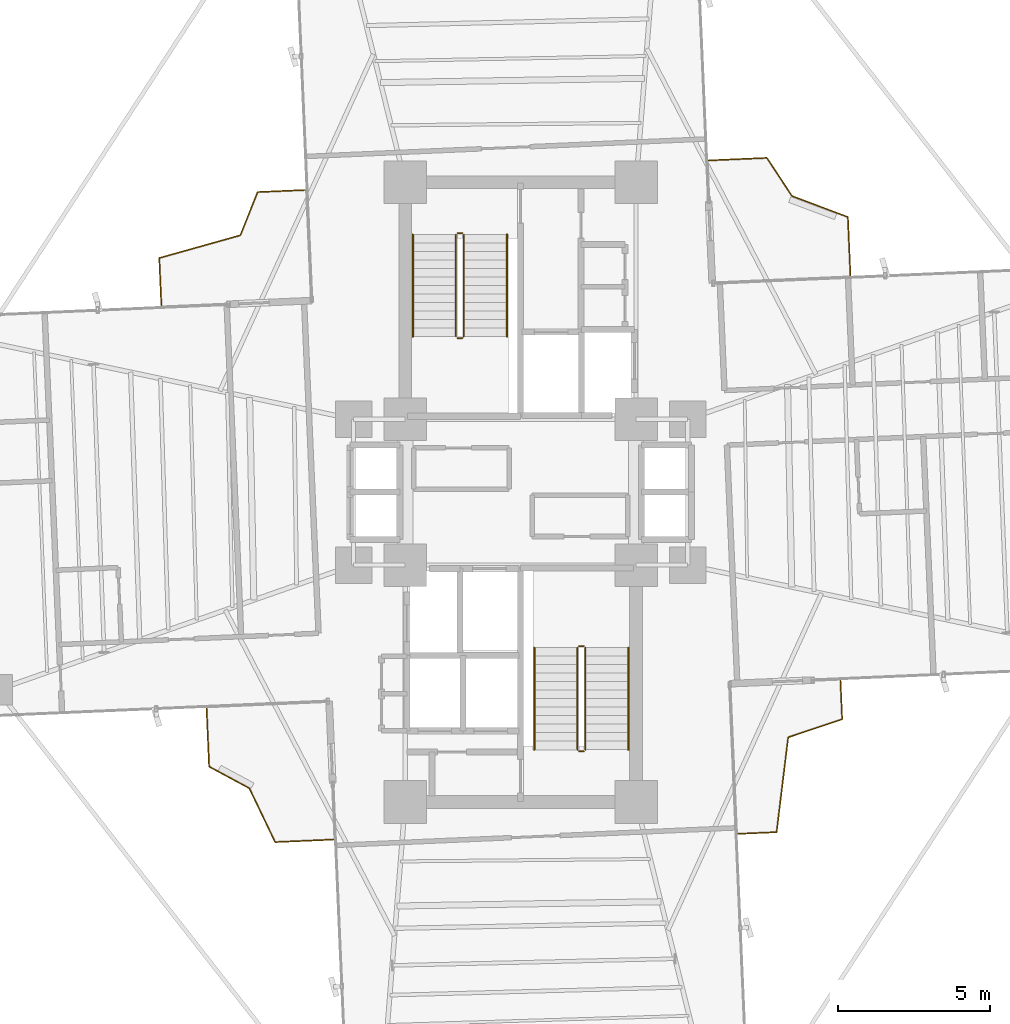
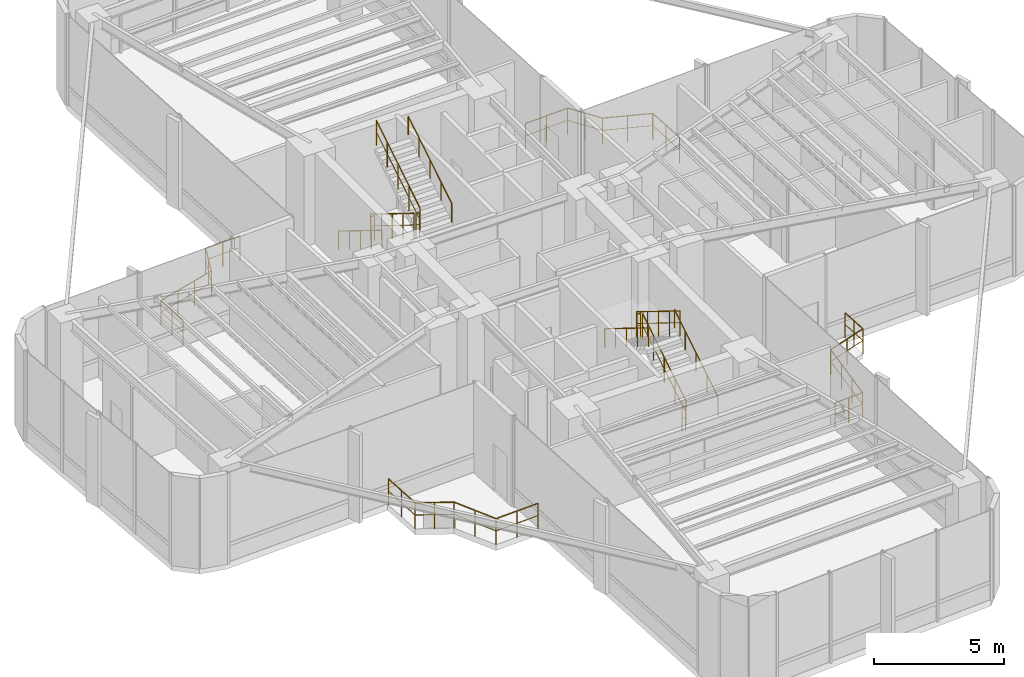
# One storey, part 23 of 23: 16 railings.
"""IFC4 building model written with IfcOpenShell, lengths in metres."""

from ifc_helpers import new_model, si_unit, direction, frame, origin, origin_2d, place, context, subcontext, project, spatial, circle, extrude, material, type_object, element, save


model = new_model("IFC4")

# Units and contexts
model_context = context("Model", 3, precision=1e-05, world=origin(), true_north=direction((0.0, 1.0)))
body_context = subcontext(model_context, "Body", "Model", "MODEL_VIEW")
ifc_project = project(units=[si_unit("LENGTHUNIT", "METRE"), si_unit("AREAUNIT", "SQUARE_METRE"), si_unit("VOLUMEUNIT", "CUBIC_METRE"), si_unit("PLANEANGLEUNIT", "RADIAN"), si_unit("MASSUNIT", "GRAM", prefix="KILO")], contexts=[model_context])

# Site, building, storey
site_placement = place(None, origin())
site = spatial("IfcSite", under=ifc_project, at=site_placement, CompositionType="ELEMENT")
building_placement = place(site_placement, origin())
building = spatial("IfcBuilding", under=site, at=building_placement, Name="Sahyath Konkavel Grand Hotel", CompositionType="ELEMENT")
storey_placement = place(building_placement, frame((0.0, 0.0, 106.949951171875)))
storey = spatial("IfcBuildingStorey", under=building, at=storey_placement, Name="L29", CompositionType="ELEMENT", Elevation=106.949951171875)

# Railings
ifc_material_1 = material(Name="Anodised Bronze Aluminium", Category="aluminium")
railing_type_1 = type_object("IfcRailingType", Name="RLG-BALC-1200", PredefinedType="GUARDRAIL", material=ifc_material_1)
railing_1_placement = place(storey_placement, frame((-7.1005859375, 9.94873046875, 0.0)))
element("IfcRailing", 1, at=railing_1_placement, inside=storey, type_object=railing_type_1, Name="L29 Winter-Garden Guard NW", PredefinedType="GUARDRAIL", context=body_context, shape_type="SweptSolid", body=[
    extrude(circle(Radius=0.02392578125, at=origin_2d()), frame((-0.001953125, 0.0, 1.17578125), z_axis=(-0.999048176786, -0.043620413353, 0.0), x_axis=(0.043620413353, -0.999048176786, 0.0)), (0.0, 0.0, 1.0), 1.5576171875),
    extrude(circle(Radius=0.01416015625, at=origin_2d()), frame((-0.001953125, 0.0, 0.6240234375), z_axis=(-0.999048176786, -0.043620413353, 0.0), x_axis=(0.043620413353, -0.999048176786, 0.0)), (0.0, 0.0, 1.0), 1.5576171875),
    extrude(circle(Radius=0.02392578125, at=origin_2d()), frame((-1.560791015625, -0.070068359375, 1.17578125), z_axis=(-0.371308282782, -0.928509644074, 0.0), x_axis=(0.928509644074, -0.371308282782, 0.0)), (0.0, 0.0, 1.0), 1.528564453125),
    extrude(circle(Radius=0.01416015625, at=origin_2d()), frame((-1.560791015625, -0.070068359375, 0.6240234375), z_axis=(-0.371308282782, -0.928509644074, 0.0), x_axis=(0.928509644074, -0.371308282782, 0.0)), (0.0, 0.0, 1.0), 1.528564453125),
    extrude(circle(Radius=0.02392578125, at=origin_2d()), frame((-2.131103515625, -1.49169921875, 1.17578125), z_axis=(-0.96291735035, -0.269796546297, 0.0), x_axis=(0.269796546297, -0.96291735035, 0.0)), (0.0, 0.0, 1.0), 2.767822265625),
    extrude(circle(Radius=0.01416015625, at=origin_2d()), frame((-2.131103515625, -1.49169921875, 0.6240234375), z_axis=(-0.96291735035, -0.269796546297, 0.0), x_axis=(0.269796546297, -0.96291735035, 0.0)), (0.0, 0.0, 1.0), 2.767822265625),
    extrude(circle(Radius=0.02392578125, at=origin_2d()), frame((-4.798095703125, -2.240966796875, 1.17578125), z_axis=(0.043627227783, -0.999047879231, 0.0), x_axis=(0.999047879231, 0.043627227783, 0.0)), (0.0, 0.0, 1.0), 1.557373046875),
    extrude(circle(Radius=0.01416015625, at=origin_2d()), frame((-4.798095703125, -2.240966796875, 0.6240234375), z_axis=(0.043627227783, -0.999047879231, 0.0), x_axis=(0.999047879231, 0.043627227783, 0.0)), (0.0, 0.0, 1.0), 1.557373046875),
    extrude(circle(Radius=0.02099609375, at=origin_2d()), origin(), (0.0, 0.0, 1.0), 1.15185546875),
    extrude(circle(Radius=0.02099609375, at=origin_2d()), frame((-0.780029296875, -0.0341796875, 0.0)), (0.0, 0.0, 1.0), 1.15185546875),
    extrude(circle(Radius=0.02099609375, at=origin_2d()), frame((-1.56005859375, -0.068115234375, 0.0)), (0.0, 0.0, 1.0), 1.15185546875),
    extrude(circle(Radius=0.02099609375, at=origin_2d()), frame((-1.8447265625, -0.77978515625, 0.0)), (0.0, 0.0, 1.0), 1.15185546875),
    extrude(circle(Radius=0.02099609375, at=origin_2d()), frame((-2.129150390625, -1.4912109375, 0.0)), (0.0, 0.0, 1.0), 1.15185546875),
    extrude(circle(Radius=0.02099609375, at=origin_2d()), frame((-3.018798828125, -1.740478515625, 0.0)), (0.0, 0.0, 1.0), 1.15185546875),
    extrude(circle(Radius=0.02099609375, at=origin_2d()), frame((-3.908447265625, -1.98974609375, 0.0)), (0.0, 0.0, 1.0), 1.15185546875),
    extrude(circle(Radius=0.02099609375, at=origin_2d()), frame((-4.798095703125, -2.239013671875, 0.0)), (0.0, 0.0, 1.0), 1.15185546875),
    extrude(circle(Radius=0.02099609375, at=origin_2d()), frame((-4.76416015625, -3.01904296875, 0.0)), (0.0, 0.0, 1.0), 1.15185546875),
    extrude(circle(Radius=0.02099609375, at=origin_2d()), frame((-4.72998046875, -3.798828125, 0.0)), (0.0, 0.0, 1.0), 1.15185546875),
])
railing_2_placement = place(storey_placement, frame((7.157470703125, -11.24951171875, 0.0)))
element("IfcRailing", 2, at=railing_2_placement, inside=storey, type_object=railing_type_1, Name="L29 Winter-Garden Guard SE", PredefinedType="GUARDRAIL", context=body_context, shape_type="SweptSolid", body=[
    extrude(circle(Radius=0.02392578125, at=origin_2d()), frame((0.001953125, 0.0, 1.17578125), z_axis=(0.999048530524, 0.043612310852, 0.0), x_axis=(-0.043612310852, 0.999048530524, 0.0)), (0.0, 0.0, 1.0), 1.266845703125),
    extrude(circle(Radius=0.01416015625, at=origin_2d()), frame((0.001953125, 0.0, 0.6240234375), z_axis=(0.999048530524, 0.043612310852, 0.0), x_axis=(-0.043612310852, 0.999048530524, 0.0)), (0.0, 0.0, 1.0), 1.266845703125),
    extrude(circle(Radius=0.02392578125, at=origin_2d()), frame((1.269775390625, 0.057373046875, 1.17578125), z_axis=(0.121302437403, 0.992615594619, 0.0), x_axis=(-0.992615594619, 0.121302437403, 0.0)), (0.0, 0.0, 1.0), 3.141845703125),
    extrude(circle(Radius=0.01416015625, at=origin_2d()), frame((1.269775390625, 0.057373046875, 0.6240234375), z_axis=(0.121302437403, 0.992615594619, 0.0), x_axis=(-0.992615594619, 0.121302437403, 0.0)), (0.0, 0.0, 1.0), 3.141845703125),
    extrude(circle(Radius=0.02392578125, at=origin_2d()), frame((1.653076171875, 3.1787109375, 1.17578125), z_axis=(0.94816082733, 0.317790883312, 0.0), x_axis=(-0.317790883312, 0.94816082733, 0.0)), (0.0, 0.0, 1.0), 1.86962890625),
    extrude(circle(Radius=0.01416015625, at=origin_2d()), frame((1.653076171875, 3.1787109375, 0.6240234375), z_axis=(0.94816082733, 0.317790883312, 0.0), x_axis=(-0.317790883312, 0.94816082733, 0.0)), (0.0, 0.0, 1.0), 1.86962890625),
    extrude(circle(Radius=0.02392578125, at=origin_2d()), frame((3.427734375, 3.775390625, 1.17578125), z_axis=(-0.043612310852, 0.999048530524, 0.0), x_axis=(-0.999048530524, -0.043612310852, 0.0)), (0.0, 0.0, 1.0), 1.266845703125),
    extrude(circle(Radius=0.01416015625, at=origin_2d()), frame((3.427734375, 3.775390625, 0.6240234375), z_axis=(-0.043612310852, 0.999048530524, 0.0), x_axis=(-0.999048530524, -0.043612310852, 0.0)), (0.0, 0.0, 1.0), 1.266845703125),
    extrude(circle(Radius=0.02099609375, at=origin_2d()), origin(), (0.0, 0.0, 1.0), 1.15185546875),
    extrude(circle(Radius=0.02099609375, at=origin_2d()), frame((0.634765625, 0.02783203125, 0.0)), (0.0, 0.0, 1.0), 1.15185546875),
    extrude(circle(Radius=0.02099609375, at=origin_2d()), frame((1.26953125, 0.055419921875, 0.0)), (0.0, 0.0, 1.0), 1.15185546875),
    extrude(circle(Radius=0.02099609375, at=origin_2d()), frame((1.396728515625, 1.09619140625, 0.0)), (0.0, 0.0, 1.0), 1.15185546875),
    extrude(circle(Radius=0.02099609375, at=origin_2d()), frame((1.52392578125, 2.13720703125, 0.0)), (0.0, 0.0, 1.0), 1.15185546875),
    extrude(circle(Radius=0.02099609375, at=origin_2d()), frame((1.651123046875, 3.177978515625, 0.0)), (0.0, 0.0, 1.0), 1.15185546875),
    extrude(circle(Radius=0.02099609375, at=origin_2d()), frame((2.53955078125, 3.4755859375, 0.0)), (0.0, 0.0, 1.0), 1.15185546875),
    extrude(circle(Radius=0.02099609375, at=origin_2d()), frame((3.427734375, 3.7734375, 0.0)), (0.0, 0.0, 1.0), 1.15185546875),
    extrude(circle(Radius=0.02099609375, at=origin_2d()), frame((3.39990234375, 4.408203125, 0.0)), (0.0, 0.0, 1.0), 1.15185546875),
    extrude(circle(Radius=0.02099609375, at=origin_2d()), frame((3.372314453125, 5.04296875, 0.0)), (0.0, 0.0, 1.0), 1.15185546875),
])
ifc_material_2 = material(Name="Steel E350", Category="steel")
railing_type_2 = type_object("IfcRailingType", Name="RLG-STAIR-GRD", PredefinedType="GUARDRAIL", material=ifc_material_2)
railing_3_placement = place(storey_placement, frame((-2.1298828125, 8.47998046875, 0.173095703125)))
element("IfcRailing", 3, at=railing_3_placement, inside=storey, type_object=railing_type_2, Name="L29 ST-1 stair guard 1", PredefinedType="GUARDRAIL", context=body_context, shape_type="SweptSolid", body=[
    extrude(circle(Radius=0.02392578125, at=origin_2d()), frame((0.0, -0.001708984375, 1.177001953125), z_axis=(0.0, -0.850606129759, 0.525803396734), x_axis=(1.0, 0.0, 0.0)), (0.0, 0.0, 1.0), 3.946044921875),
    extrude(circle(Radius=0.01416015625, at=origin_2d()), frame((0.0, -0.001708984375, 0.625), z_axis=(0.0, -0.850606129759, 0.525803396734), x_axis=(1.0, 0.0, 0.0)), (0.0, 0.0, 1.0), 3.946044921875),
    extrude(circle(Radius=0.02099609375, at=origin_2d()), origin(), (0.0, 0.0, 1.0), 1.15185546875),
    extrude(circle(Radius=0.02099609375, at=origin_2d()), frame((0.0, -0.83984375, 0.519287109375)), (0.0, 0.0, 1.0), 1.15185546875),
    extrude(circle(Radius=0.02099609375, at=origin_2d()), frame((0.0, -1.679931640625, 1.03857421875)), (0.0, 0.0, 1.0), 1.15185546875),
    extrude(circle(Radius=0.02099609375, at=origin_2d()), frame((0.0, -2.52001953125, 1.5576171875)), (0.0, 0.0, 1.0), 1.15185546875),
    extrude(circle(Radius=0.02099609375, at=origin_2d()), frame((0.0, -3.35986328125, 2.076904296875)), (0.0, 0.0, 1.0), 1.15185546875),
])
railing_4_placement = place(storey_placement, frame((-2.080078125, 5.070068359375, 2.25)))
element("IfcRailing", 4, at=railing_4_placement, inside=storey, type_object=railing_type_2, Name="L29 ST-1 stair guard 2", PredefinedType="GUARDRAIL", context=body_context, shape_type="SweptSolid", body=[
    extrude(circle(Radius=0.02392578125, at=origin_2d()), frame((0.001953125, 0.0, 1.17578125), z_axis=(1.0, 0.0, 0.0), x_axis=(0.0, 1.0, 0.0)), (0.0, 0.0, 1.0), 0.15625),
    extrude(circle(Radius=0.01416015625, at=origin_2d()), frame((0.001953125, 0.0, 0.6240234375), z_axis=(1.0, 0.0, 0.0), x_axis=(0.0, 1.0, 0.0)), (0.0, 0.0, 1.0), 0.15625),
    extrude(circle(Radius=0.02099609375, at=origin_2d()), origin(), (0.0, 0.0, 1.0), 1.15185546875),
    extrude(circle(Radius=0.02099609375, at=origin_2d()), frame((0.16015625, 0.0, 0.0)), (0.0, 0.0, 1.0), 1.15185546875),
])
railing_5_placement = place(storey_placement, frame((-1.8701171875, 5.1201171875, 2.423095703125)))
element("IfcRailing", 5, at=railing_5_placement, inside=storey, type_object=railing_type_2, Name="L29 ST-1 stair guard 3", PredefinedType="GUARDRAIL", context=body_context, shape_type="SweptSolid", body=[
    extrude(circle(Radius=0.02392578125, at=origin_2d()), frame((0.0, 0.001708984375, 1.177001953125), z_axis=(0.0, 0.850606129759, 0.525803396734), x_axis=(-1.0, 0.0, 0.0)), (0.0, 0.0, 1.0), 3.946044921875),
    extrude(circle(Radius=0.01416015625, at=origin_2d()), frame((0.0, 0.001708984375, 0.625), z_axis=(0.0, 0.850606129759, 0.525803396734), x_axis=(-1.0, 0.0, 0.0)), (0.0, 0.0, 1.0), 3.946044921875),
    extrude(circle(Radius=0.02099609375, at=origin_2d()), origin(), (0.0, 0.0, 1.0), 1.15185546875),
    extrude(circle(Radius=0.02099609375, at=origin_2d()), frame((0.0, 0.83984375, 0.519287109375)), (0.0, 0.0, 1.0), 1.15185546875),
    extrude(circle(Radius=0.02099609375, at=origin_2d()), frame((0.0, 1.679931640625, 1.03857421875)), (0.0, 0.0, 1.0), 1.15185546875),
    extrude(circle(Radius=0.02099609375, at=origin_2d()), frame((0.0, 2.52001953125, 1.5576171875)), (0.0, 0.0, 1.0), 1.15185546875),
    extrude(circle(Radius=0.02099609375, at=origin_2d()), frame((0.0, 3.35986328125, 2.076904296875)), (0.0, 0.0, 1.0), 1.15185546875),
])
railing_6_placement = place(storey_placement, frame((-2.080078125, 8.530029296875, 0.0)))
element("IfcRailing", 6, at=railing_6_placement, inside=storey, type_object=railing_type_2, Name="L29 ST-1 stair guard 4", PredefinedType="GUARDRAIL", context=body_context, shape_type="SweptSolid", body=[
    extrude(circle(Radius=0.02392578125, at=origin_2d()), frame((0.001953125, 0.0, 1.17578125), z_axis=(1.0, 0.0, 0.0), x_axis=(0.0, 1.0, 0.0)), (0.0, 0.0, 1.0), 0.15625),
    extrude(circle(Radius=0.01416015625, at=origin_2d()), frame((0.001953125, 0.0, 0.6240234375), z_axis=(1.0, 0.0, 0.0), x_axis=(0.0, 1.0, 0.0)), (0.0, 0.0, 1.0), 0.15625),
    extrude(circle(Radius=0.02099609375, at=origin_2d()), origin(), (0.0, 0.0, 1.0), 1.15185546875),
    extrude(circle(Radius=0.02099609375, at=origin_2d()), frame((0.16015625, 0.0, 0.0)), (0.0, 0.0, 1.0), 1.15185546875),
])
railing_7_placement = place(storey_placement, frame((2.1298828125, -8.47998046875, 0.173095703125)))
element("IfcRailing", 7, at=railing_7_placement, inside=storey, type_object=railing_type_2, Name="L29 ST-2 stair guard 1", PredefinedType="GUARDRAIL", context=body_context, shape_type="SweptSolid", body=[
    extrude(circle(Radius=0.02392578125, at=origin_2d()), frame((0.0, 0.001708984375, 1.177001953125), z_axis=(0.0, 0.850606129759, 0.525803396734), x_axis=(-1.0, 0.0, 0.0)), (0.0, 0.0, 1.0), 3.946044921875),
    extrude(circle(Radius=0.01416015625, at=origin_2d()), frame((0.0, 0.001708984375, 0.625), z_axis=(0.0, 0.850606129759, 0.525803396734), x_axis=(-1.0, 0.0, 0.0)), (0.0, 0.0, 1.0), 3.946044921875),
    extrude(circle(Radius=0.02099609375, at=origin_2d()), origin(), (0.0, 0.0, 1.0), 1.15185546875),
    extrude(circle(Radius=0.02099609375, at=origin_2d()), frame((0.0, 0.83984375, 0.519287109375)), (0.0, 0.0, 1.0), 1.15185546875),
    extrude(circle(Radius=0.02099609375, at=origin_2d()), frame((0.0, 1.679931640625, 1.03857421875)), (0.0, 0.0, 1.0), 1.15185546875),
    extrude(circle(Radius=0.02099609375, at=origin_2d()), frame((0.0, 2.52001953125, 1.5576171875)), (0.0, 0.0, 1.0), 1.15185546875),
    extrude(circle(Radius=0.02099609375, at=origin_2d()), frame((0.0, 3.35986328125, 2.076904296875)), (0.0, 0.0, 1.0), 1.15185546875),
])
railing_8_placement = place(storey_placement, frame((2.080078125, -5.070068359375, 2.25)))
element("IfcRailing", 8, at=railing_8_placement, inside=storey, type_object=railing_type_2, Name="L29 ST-2 stair guard 2", PredefinedType="GUARDRAIL", context=body_context, shape_type="SweptSolid", body=[
    extrude(circle(Radius=0.02392578125, at=origin_2d()), frame((-0.001953125, 0.0, 1.17578125), z_axis=(-1.0, 0.0, 0.0), x_axis=(0.0, -1.0, 0.0)), (0.0, 0.0, 1.0), 0.15625),
    extrude(circle(Radius=0.01416015625, at=origin_2d()), frame((-0.001953125, 0.0, 0.6240234375), z_axis=(-1.0, 0.0, 0.0), x_axis=(0.0, -1.0, 0.0)), (0.0, 0.0, 1.0), 0.15625),
    extrude(circle(Radius=0.02099609375, at=origin_2d()), origin(), (0.0, 0.0, 1.0), 1.15185546875),
    extrude(circle(Radius=0.02099609375, at=origin_2d()), frame((-0.16015625, 0.0, 0.0)), (0.0, 0.0, 1.0), 1.15185546875),
])
railing_9_placement = place(storey_placement, frame((1.8701171875, -5.1201171875, 2.423095703125)))
element("IfcRailing", 9, at=railing_9_placement, inside=storey, type_object=railing_type_2, Name="L29 ST-2 stair guard 3", PredefinedType="GUARDRAIL", context=body_context, shape_type="SweptSolid", body=[
    extrude(circle(Radius=0.02392578125, at=origin_2d()), frame((0.0, -0.001708984375, 1.177001953125), z_axis=(0.0, -0.850606129759, 0.525803396734), x_axis=(1.0, 0.0, 0.0)), (0.0, 0.0, 1.0), 3.946044921875),
    extrude(circle(Radius=0.01416015625, at=origin_2d()), frame((0.0, -0.001708984375, 0.625), z_axis=(0.0, -0.850606129759, 0.525803396734), x_axis=(1.0, 0.0, 0.0)), (0.0, 0.0, 1.0), 3.946044921875),
    extrude(circle(Radius=0.02099609375, at=origin_2d()), origin(), (0.0, 0.0, 1.0), 1.15185546875),
    extrude(circle(Radius=0.02099609375, at=origin_2d()), frame((0.0, -0.83984375, 0.519287109375)), (0.0, 0.0, 1.0), 1.15185546875),
    extrude(circle(Radius=0.02099609375, at=origin_2d()), frame((0.0, -1.679931640625, 1.03857421875)), (0.0, 0.0, 1.0), 1.15185546875),
    extrude(circle(Radius=0.02099609375, at=origin_2d()), frame((0.0, -2.52001953125, 1.5576171875)), (0.0, 0.0, 1.0), 1.15185546875),
    extrude(circle(Radius=0.02099609375, at=origin_2d()), frame((0.0, -3.35986328125, 2.076904296875)), (0.0, 0.0, 1.0), 1.15185546875),
])
railing_10_placement = place(storey_placement, frame((2.080078125, -8.530029296875, 0.0)))
element("IfcRailing", 10, at=railing_10_placement, inside=storey, type_object=railing_type_2, Name="L29 ST-2 stair guard 4", PredefinedType="GUARDRAIL", context=body_context, shape_type="SweptSolid", body=[
    extrude(circle(Radius=0.02392578125, at=origin_2d()), frame((-0.001953125, 0.0, 1.17578125), z_axis=(-1.0, 0.0, 0.0), x_axis=(0.0, -1.0, 0.0)), (0.0, 0.0, 1.0), 0.15625),
    extrude(circle(Radius=0.01416015625, at=origin_2d()), frame((-0.001953125, 0.0, 0.6240234375), z_axis=(-1.0, 0.0, 0.0), x_axis=(0.0, -1.0, 0.0)), (0.0, 0.0, 1.0), 0.15625),
    extrude(circle(Radius=0.02099609375, at=origin_2d()), origin(), (0.0, 0.0, 1.0), 1.15185546875),
    extrude(circle(Radius=0.02099609375, at=origin_2d()), frame((-0.16015625, 0.0, 0.0)), (0.0, 0.0, 1.0), 1.15185546875),
])
railing_type_3 = type_object("IfcRailingType", Name="RLG-STAIR-HND", PredefinedType="HANDRAIL", material=ifc_material_1)
railing_11_placement = place(storey_placement, frame((-3.550048828125, 8.47998046875, 0.173095703125)))
element("IfcRailing", 11, at=railing_11_placement, inside=storey, type_object=railing_type_3, Name="L29 ST-1 stair handrail 1", PredefinedType="HANDRAIL", context=body_context, shape_type="SweptSolid", body=[
    extrude(circle(Radius=0.02392578125, at=origin_2d()), frame((0.0, -0.001708984375, 0.876953125), z_axis=(0.0, -0.850606129759, 0.525803396734), x_axis=(1.0, 0.0, 0.0)), (0.0, 0.0, 1.0), 3.946044921875),
    extrude(circle(Radius=0.02099609375, at=origin_2d()), origin(), (0.0, 0.0, 1.0), 0.851806640625),
    extrude(circle(Radius=0.02099609375, at=origin_2d()), frame((0.0, -0.83984375, 0.519287109375)), (0.0, 0.0, 1.0), 0.851806640625),
    extrude(circle(Radius=0.02099609375, at=origin_2d()), frame((0.0, -1.679931640625, 1.03857421875)), (0.0, 0.0, 1.0), 0.851806640625),
    extrude(circle(Radius=0.02099609375, at=origin_2d()), frame((0.0, -2.52001953125, 1.5576171875)), (0.0, 0.0, 1.0), 0.851806640625),
    extrude(circle(Radius=0.02099609375, at=origin_2d()), frame((0.0, -3.35986328125, 2.076904296875)), (0.0, 0.0, 1.0), 0.851806640625),
])
for number, where, name in (
    (12, (-0.449951171875, 5.1201171875, 2.423095703125), "L29 ST-1 stair handrail 2"),
    (13, (3.550048828125, -8.47998046875, 0.173095703125), "L29 ST-2 stair handrail 1"),
):
    element("IfcRailing", number, at=place(storey_placement, frame(where)), inside=storey, type_object=railing_type_3, Name=name, PredefinedType="HANDRAIL", context=body_context, shape_type="SweptSolid", body=[
        extrude(circle(Radius=0.02392578125, at=origin_2d()), frame((0.0, 0.001708984375, 0.876953125), z_axis=(0.0, 0.850606129759, 0.525803396734), x_axis=(-1.0, 0.0, 0.0)), (0.0, 0.0, 1.0), 3.946044921875),
        extrude(circle(Radius=0.02099609375, at=origin_2d()), origin(), (0.0, 0.0, 1.0), 0.851806640625),
        extrude(circle(Radius=0.02099609375, at=origin_2d()), frame((0.0, 0.83984375, 0.519287109375)), (0.0, 0.0, 1.0), 0.851806640625),
        extrude(circle(Radius=0.02099609375, at=origin_2d()), frame((0.0, 1.679931640625, 1.03857421875)), (0.0, 0.0, 1.0), 0.851806640625),
        extrude(circle(Radius=0.02099609375, at=origin_2d()), frame((0.0, 2.52001953125, 1.5576171875)), (0.0, 0.0, 1.0), 0.851806640625),
        extrude(circle(Radius=0.02099609375, at=origin_2d()), frame((0.0, 3.35986328125, 2.076904296875)), (0.0, 0.0, 1.0), 0.851806640625),
    ])
railing_12_placement = place(storey_placement, frame((0.449951171875, -5.1201171875, 2.423095703125)))
element("IfcRailing", 14, at=railing_12_placement, inside=storey, type_object=railing_type_3, Name="L29 ST-2 stair handrail 2", PredefinedType="HANDRAIL", context=body_context, shape_type="SweptSolid", body=[
    extrude(circle(Radius=0.02392578125, at=origin_2d()), frame((0.0, -0.001708984375, 0.876953125), z_axis=(0.0, -0.850606129759, 0.525803396734), x_axis=(1.0, 0.0, 0.0)), (0.0, 0.0, 1.0), 3.946044921875),
    extrude(circle(Radius=0.02099609375, at=origin_2d()), origin(), (0.0, 0.0, 1.0), 0.851806640625),
    extrude(circle(Radius=0.02099609375, at=origin_2d()), frame((0.0, -0.83984375, 0.519287109375)), (0.0, 0.0, 1.0), 0.851806640625),
    extrude(circle(Radius=0.02099609375, at=origin_2d()), frame((0.0, -1.679931640625, 1.03857421875)), (0.0, 0.0, 1.0), 0.851806640625),
    extrude(circle(Radius=0.02099609375, at=origin_2d()), frame((0.0, -2.52001953125, 1.5576171875)), (0.0, 0.0, 1.0), 0.851806640625),
    extrude(circle(Radius=0.02099609375, at=origin_2d()), frame((0.0, -3.35986328125, 2.076904296875)), (0.0, 0.0, 1.0), 0.851806640625),
])
ifc_material_3 = material(Name="Warm Buff Sandstone & Bronze Balustrade", Category="masonry")
railing_type_4 = type_object("IfcRailingType", Name="RLG-TERR-1250", PredefinedType="BALUSTRADE", material=ifc_material_3)
railing_13_placement = place(storey_placement, frame((10.85693359375, 7.140380859375, 0.0)))
element("IfcRailing", 15, at=railing_13_placement, inside=storey, type_object=railing_type_4, Name="L29 Sky-Garden Balustrade NE", PredefinedType="BALUSTRADE", context=body_context, shape_type="SweptSolid", body=[
    extrude(circle(Radius=0.02392578125, at=origin_2d()), frame((0.0, 0.001953125, 1.22607421875), z_axis=(-0.043613799628, 0.999048465532, 0.0), x_axis=(-0.999048465532, -0.043613799628, 0.0)), (0.0, 0.0, 1.0), 1.916015625),
    extrude(circle(Radius=0.01416015625, at=origin_2d()), frame((0.0, 0.001953125, 0.64990234375), z_axis=(-0.043613799628, 0.999048465532, 0.0), x_axis=(-0.999048465532, -0.043613799628, 0.0)), (0.0, 0.0, 1.0), 1.916015625),
    extrude(circle(Radius=0.02392578125, at=origin_2d()), frame((-0.085693359375, 1.9189453125, 1.22607421875), z_axis=(-0.936288324522, 0.351232363777, 0.0), x_axis=(-0.351232363777, -0.936288324522, 0.0)), (0.0, 0.0, 1.0), 1.9609375),
    extrude(circle(Radius=0.01416015625, at=origin_2d()), frame((-0.085693359375, 1.9189453125, 0.64990234375), z_axis=(-0.936288324522, 0.351232363777, 0.0), x_axis=(-0.351232363777, -0.936288324522, 0.0)), (0.0, 0.0, 1.0), 1.9609375),
    extrude(circle(Radius=0.02392578125, at=origin_2d()), frame((-1.924560546875, 2.610107421875, 1.22607421875), z_axis=(-0.54891876295, 0.835875703488, 0.0), x_axis=(-0.835875703488, -0.54891876295, 0.0)), (0.0, 0.0, 1.0), 1.500244140625),
    extrude(circle(Radius=0.01416015625, at=origin_2d()), frame((-1.924560546875, 2.610107421875, 0.64990234375), z_axis=(-0.54891876295, 0.835875703488, 0.0), x_axis=(-0.835875703488, -0.54891876295, 0.0)), (0.0, 0.0, 1.0), 1.500244140625),
    extrude(circle(Radius=0.02392578125, at=origin_2d()), frame((-2.751220703125, 3.86572265625, 1.22607421875), z_axis=(-0.999048465532, -0.043613799628, 0.0), x_axis=(0.043613799628, -0.999048465532, 0.0)), (0.0, 0.0, 1.0), 1.916015625),
    extrude(circle(Radius=0.01416015625, at=origin_2d()), frame((-2.751220703125, 3.86572265625, 0.64990234375), z_axis=(-0.999048465532, -0.043613799628, 0.0), x_axis=(0.043613799628, -0.999048465532, 0.0)), (0.0, 0.0, 1.0), 1.916015625),
    extrude(circle(Radius=0.02099609375, at=origin_2d()), origin(), (0.0, 0.0, 1.0), 1.201904296875),
    extrude(circle(Radius=0.02099609375, at=origin_2d()), frame((-0.0419921875, 0.958984375, 0.0)), (0.0, 0.0, 1.0), 1.201904296875),
    extrude(circle(Radius=0.02099609375, at=origin_2d()), frame((-0.083740234375, 1.918212890625, 0.0)), (0.0, 0.0, 1.0), 1.201904296875),
    extrude(circle(Radius=0.02099609375, at=origin_2d()), frame((-1.003662109375, 2.26318359375, 0.0)), (0.0, 0.0, 1.0), 1.201904296875),
    extrude(circle(Radius=0.02099609375, at=origin_2d()), frame((-1.923583984375, 2.6083984375, 0.0)), (0.0, 0.0, 1.0), 1.201904296875),
    extrude(circle(Radius=0.02099609375, at=origin_2d()), frame((-2.33642578125, 3.237060546875, 0.0)), (0.0, 0.0, 1.0), 1.201904296875),
    extrude(circle(Radius=0.02099609375, at=origin_2d()), frame((-2.749267578125, 3.86572265625, 0.0)), (0.0, 0.0, 1.0), 1.201904296875),
    extrude(circle(Radius=0.02099609375, at=origin_2d()), frame((-3.70849609375, 3.82373046875, 0.0)), (0.0, 0.0, 1.0), 1.201904296875),
    extrude(circle(Radius=0.02099609375, at=origin_2d()), frame((-4.66748046875, 3.781982421875, 0.0)), (0.0, 0.0, 1.0), 1.201904296875),
])
railing_14_placement = place(storey_placement, frame((-10.34130859375, -7.117919921875, 0.0)))
element("IfcRailing", 16, at=railing_14_placement, inside=storey, type_object=railing_type_4, Name="L29 Sky-Garden Balustrade SW", PredefinedType="BALUSTRADE", context=body_context, shape_type="SweptSolid", body=[
    extrude(circle(Radius=0.02392578125, at=origin_2d()), frame((0.0, -0.001953125, 1.22607421875), z_axis=(0.043619340721, -0.999048223618, 0.0), x_axis=(0.999048223618, 0.043619340721, 0.0)), (0.0, 0.0, 1.0), 1.915771484375),
    extrude(circle(Radius=0.01416015625, at=origin_2d()), frame((0.0, -0.001953125, 0.64990234375), z_axis=(0.043619340721, -0.999048223618, 0.0), x_axis=(0.999048223618, 0.043619340721, 0.0)), (0.0, 0.0, 1.0), 1.915771484375),
    extrude(circle(Radius=0.02392578125, at=origin_2d()), frame((0.08544921875, -1.9189453125, 1.22607421875), z_axis=(0.880512797618, -0.474022376299, 0.0), x_axis=(0.474022376299, 0.880512797618, 0.0)), (0.0, 0.0, 1.0), 1.5),
    extrude(circle(Radius=0.01416015625, at=origin_2d()), frame((0.08544921875, -1.9189453125, 0.64990234375), z_axis=(0.880512797618, -0.474022376299, 0.0), x_axis=(0.474022376299, 0.880512797618, 0.0)), (0.0, 0.0, 1.0), 1.5),
    extrude(circle(Radius=0.02392578125, at=origin_2d()), frame((1.408935546875, -2.632568359375, 1.22607421875), z_axis=(0.431591768424, -0.902069035844, 0.0), x_axis=(0.902069035844, 0.431591768424, 0.0)), (0.0, 0.0, 1.0), 1.961181640625),
    extrude(circle(Radius=0.01416015625, at=origin_2d()), frame((1.408935546875, -2.632568359375, 0.64990234375), z_axis=(0.431591768424, -0.902069035844, 0.0), x_axis=(0.902069035844, 0.431591768424, 0.0)), (0.0, 0.0, 1.0), 1.961181640625),
    extrude(circle(Radius=0.02392578125, at=origin_2d()), frame((2.258056640625, -4.403564453125, 1.22607421875), z_axis=(0.999053997891, 0.043486886506, 0.0), x_axis=(-0.043486886506, 0.999053997891, 0.0)), (0.0, 0.0, 1.0), 1.916015625),
    extrude(circle(Radius=0.01416015625, at=origin_2d()), frame((2.258056640625, -4.403564453125, 0.64990234375), z_axis=(0.999053997891, 0.043486886506, 0.0), x_axis=(-0.043486886506, 0.999053997891, 0.0)), (0.0, 0.0, 1.0), 1.916015625),
    extrude(circle(Radius=0.02099609375, at=origin_2d()), origin(), (0.0, 0.0, 1.0), 1.201904296875),
    extrude(circle(Radius=0.02099609375, at=origin_2d()), frame((0.0419921875, -0.958984375, 0.0)), (0.0, 0.0, 1.0), 1.201904296875),
    extrude(circle(Radius=0.02099609375, at=origin_2d()), frame((0.083740234375, -1.91796875, 0.0)), (0.0, 0.0, 1.0), 1.201904296875),
    extrude(circle(Radius=0.02099609375, at=origin_2d()), frame((0.745849609375, -2.2744140625, 0.0)), (0.0, 0.0, 1.0), 1.201904296875),
    extrude(circle(Radius=0.02099609375, at=origin_2d()), frame((1.407958984375, -2.630859375, 0.0)), (0.0, 0.0, 1.0), 1.201904296875),
    extrude(circle(Radius=0.02099609375, at=origin_2d()), frame((1.83203125, -3.51708984375, 0.0)), (0.0, 0.0, 1.0), 1.201904296875),
    extrude(circle(Radius=0.02099609375, at=origin_2d()), frame((2.256103515625, -4.403564453125, 0.0)), (0.0, 0.0, 1.0), 1.201904296875),
    extrude(circle(Radius=0.02099609375, at=origin_2d()), frame((3.21533203125, -4.36181640625, 0.0)), (0.0, 0.0, 1.0), 1.201904296875),
    extrude(circle(Radius=0.02099609375, at=origin_2d()), frame((4.17431640625, -4.320068359375, 0.0)), (0.0, 0.0, 1.0), 1.201904296875),
])

save(model, "model.ifc")
